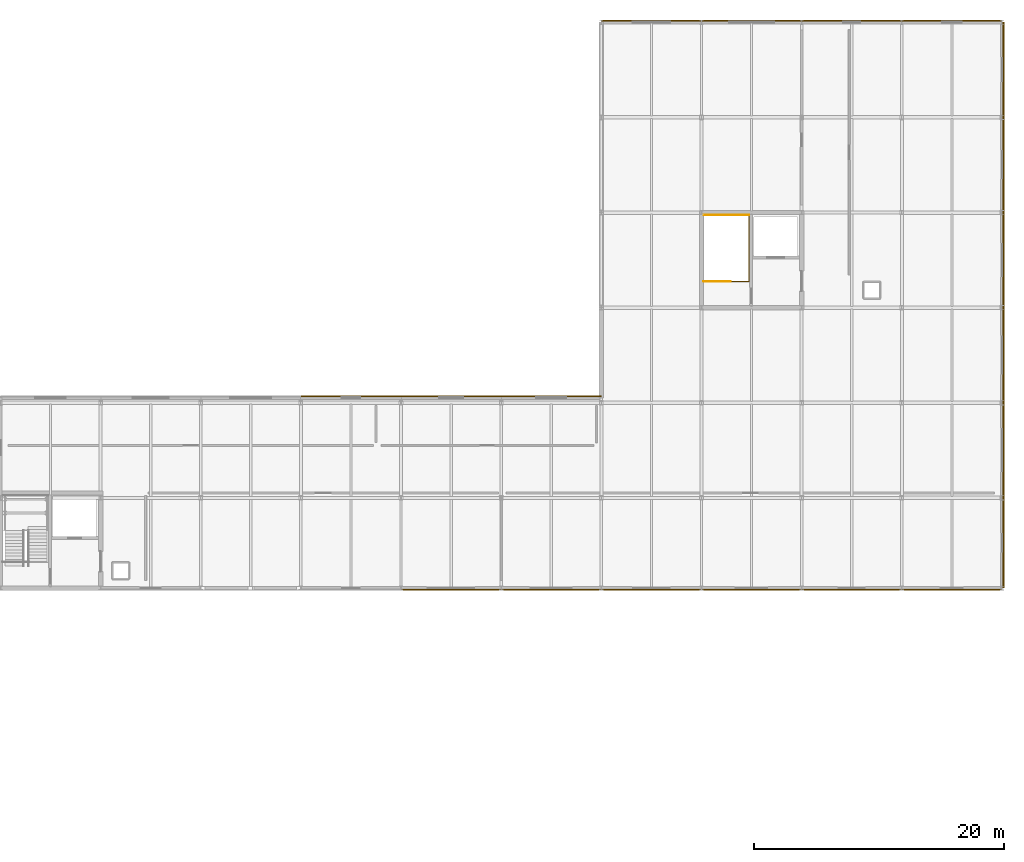
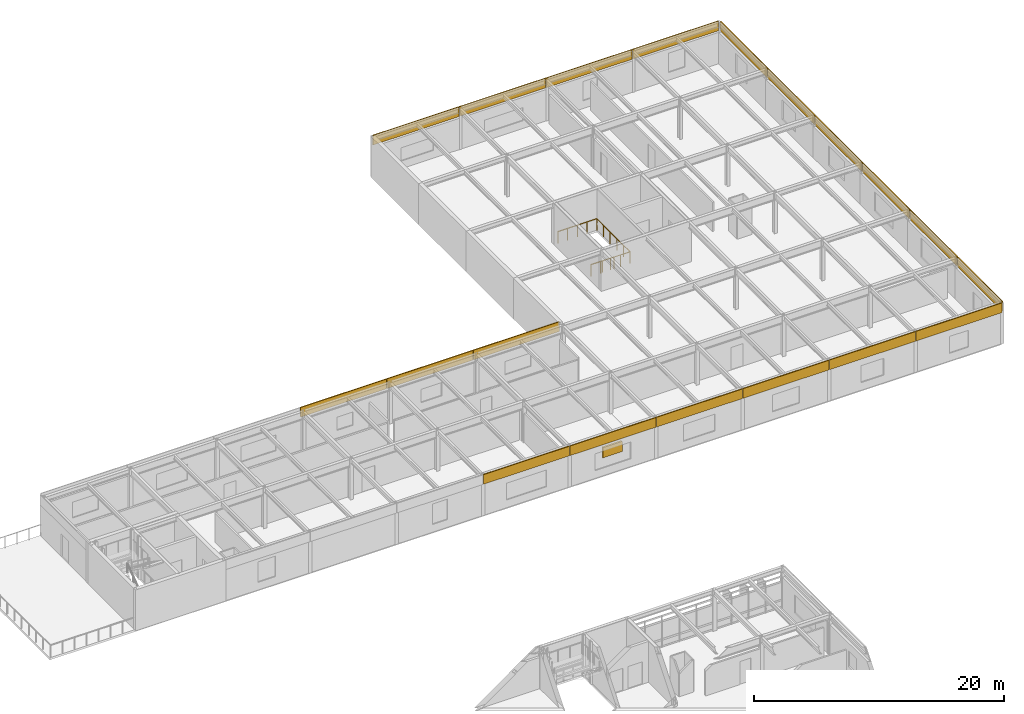
# One storey, part 33 of 33: 19 coverings, 3 railings, 1 shading device.
"""IFC4 building model written with IfcOpenShell, lengths in metres."""

from ifc_helpers import new_model, si_unit, direction, frame, origin, origin_2d, place, context, subcontext, project, spatial, rectangle, circle, extrude, material, layer, layer_set, type_object, element, save


model = new_model("IFC4")

# Units and contexts
model_context = context("Model", 3, precision=1e-05, world=origin(), true_north=direction((0.0, 1.0)))
body_context = subcontext(model_context, "Body", "Model", "MODEL_VIEW")
ifc_project = project(units=[si_unit("LENGTHUNIT", "METRE"), si_unit("AREAUNIT", "SQUARE_METRE"), si_unit("VOLUMEUNIT", "CUBIC_METRE"), si_unit("PLANEANGLEUNIT", "RADIAN"), si_unit("MASSUNIT", "GRAM", prefix="KILO")], contexts=[model_context])

# Site, building, storey
site_placement = place(None, origin())
site = spatial("IfcSite", under=ifc_project, at=site_placement, CompositionType="ELEMENT")
building_placement = place(site_placement, origin())
building = spatial("IfcBuilding", under=site, at=building_placement, Name="Zulena Civic Courthouse", CompositionType="ELEMENT")
storey_placement = place(building_placement, frame((0.0, 0.0, 33.60009765625)))
storey = spatial("IfcBuildingStorey", under=building, at=storey_placement, Name="L07", CompositionType="ELEMENT", Elevation=33.60009765625)

# Shading device
ifc_material_1 = material(Name="Bronze anodised thermally broken aluminium AA6063-T6", Category="aluminium")
shading_device_type = type_object("IfcShadingDeviceType", Name="AcousticStormLouvre_3", PredefinedType="JALOUSIE", material=ifc_material_1)
shading_device_placement = place(storey_placement, frame((64.0, 46.0, 1.699951171875), z_axis=(0.0, 0.0, 1.0), x_axis=(1.0, 0.0, 0.0)))
element("IfcShadingDevice", 1, at=shading_device_placement, inside=storey, type_object=shading_device_type, Name="louvre:V5:L07", PredefinedType="JALOUSIE", context=body_context, shape_type="SweptSolid", body=[
    extrude(rectangle(XDim=1.800048828125, YDim=0.14990234375, at=origin_2d()), origin(), (0.0, 0.0, 1.0), 1.0),
])

# Railings
ifc_material_2 = material(Name="Brushed architectural steel ASTM A36", Category="steel")
railing_type = type_object("IfcRailingType", Name="InteriorGuardrail_1150", PredefinedType="GUARDRAIL", material=ifc_material_2)
railing_1_placement = place(storey_placement, frame((76.199951171875, 75.81005859375, 0.0)))
element("IfcRailing", 2, at=railing_1_placement, inside=storey, type_object=railing_type, Name="gr:wellN:K5B:L06", PredefinedType="GUARDRAIL", context=body_context, shape_type="SweptSolid", body=[
    extrude(circle(Radius=0.02392578125, at=origin_2d()), frame((0.00390625, 0.0, 1.1259765625), z_axis=(1.0, 0.0, 0.0), x_axis=(0.0, 1.0, 0.0)), (0.0, 0.0, 1.0), 3.592041015625),
    extrude(circle(Radius=0.02099609375, at=origin_2d()), origin(), (0.0, 0.0, 1.0), 1.097900390625),
    extrude(circle(Radius=0.02099609375, at=origin_2d()), frame((0.89990234375, 0.0, 0.0)), (0.0, 0.0, 1.0), 1.097900390625),
    extrude(circle(Radius=0.02099609375, at=origin_2d()), frame((1.800048828125, 0.0, 0.0)), (0.0, 0.0, 1.0), 1.097900390625),
    extrude(circle(Radius=0.02099609375, at=origin_2d()), frame((2.7001953125, 0.0, 0.0)), (0.0, 0.0, 1.0), 1.097900390625),
    extrude(circle(Radius=0.02099609375, at=origin_2d()), frame((3.60009765625, 0.0, 0.0)), (0.0, 0.0, 1.0), 1.097900390625),
])
railing_2_placement = place(storey_placement, frame((79.800048828125, 75.820068359375, 0.0)))
element("IfcRailing", 3, at=railing_2_placement, inside=storey, type_object=railing_type, Name="gr:topwell:K5B:L06", PredefinedType="GUARDRAIL", context=body_context, shape_type="SweptSolid", body=[
    extrude(circle(Radius=0.02392578125, at=origin_2d()), frame((0.0, -0.00390625, 1.1259765625), z_axis=(0.0, -1.0, 0.0), x_axis=(1.0, 0.0, 0.0)), (0.0, 0.0, 1.0), 5.33203125),
    extrude(circle(Radius=0.02392578125, at=origin_2d()), frame((-0.00390625, -5.340087890625, 1.1259765625), z_axis=(-1.0, 0.0, 0.0), x_axis=(0.0, -1.0, 0.0)), (0.0, 0.0, 1.0), 3.612060546875),
    extrude(circle(Radius=0.02099609375, at=origin_2d()), origin(), (0.0, 0.0, 1.0), 1.097900390625),
    extrude(circle(Radius=0.02099609375, at=origin_2d()), frame((0.0, -1.068115234375, 0.0)), (0.0, 0.0, 1.0), 1.097900390625),
    extrude(circle(Radius=0.02099609375, at=origin_2d()), frame((0.0, -2.135986328125, 0.0)), (0.0, 0.0, 1.0), 1.097900390625),
    extrude(circle(Radius=0.02099609375, at=origin_2d()), frame((0.0, -3.2041015625, 0.0)), (0.0, 0.0, 1.0), 1.097900390625),
    extrude(circle(Radius=0.02099609375, at=origin_2d()), frame((0.0, -4.27197265625, 0.0)), (0.0, 0.0, 1.0), 1.097900390625),
    extrude(circle(Radius=0.02099609375, at=origin_2d()), frame((0.0, -5.340087890625, 0.0)), (0.0, 0.0, 1.0), 1.097900390625),
    extrude(circle(Radius=0.02099609375, at=origin_2d()), frame((-0.905029296875, -5.340087890625, 0.0)), (0.0, 0.0, 1.0), 1.097900390625),
    extrude(circle(Radius=0.02099609375, at=origin_2d()), frame((-1.81005859375, -5.340087890625, 0.0)), (0.0, 0.0, 1.0), 1.097900390625),
    extrude(circle(Radius=0.02099609375, at=origin_2d()), frame((-2.715087890625, -5.340087890625, 0.0)), (0.0, 0.0, 1.0), 1.097900390625),
    extrude(circle(Radius=0.02099609375, at=origin_2d()), frame((-3.6201171875, -5.340087890625, 0.0)), (0.0, 0.0, 1.0), 1.097900390625),
])
railing_3_placement = place(storey_placement, frame((76.179931640625, 70.5, 0.0)))
element("IfcRailing", 4, at=railing_3_placement, inside=storey, type_object=railing_type, Name="gr:wells:K5B:L07", PredefinedType="GUARDRAIL", context=body_context, shape_type="SweptSolid", body=[
    extrude(circle(Radius=0.02392578125, at=origin_2d()), frame((0.00390625, 0.0, 1.1259765625), z_axis=(1.0, 0.0, 0.0), x_axis=(0.0, 1.0, 0.0)), (0.0, 0.0, 1.0), 2.112060546875),
    extrude(circle(Radius=0.02099609375, at=origin_2d()), origin(), (0.0, 0.0, 1.0), 1.097900390625),
    extrude(circle(Radius=0.02099609375, at=origin_2d()), frame((1.06005859375, 0.0, 0.0)), (0.0, 0.0, 1.0), 1.097900390625),
    extrude(circle(Radius=0.02099609375, at=origin_2d()), frame((2.1201171875, 0.0, 0.0)), (0.0, 0.0, 1.0), 1.097900390625),
])

# Coverings
ifc_material_3 = material(Name="White architectural precast concrete C40/50", Category="concrete")
ifc_layer = layer(ifc_material_3, 0.0849609375)
ifc_layer_set = layer_set([ifc_layer], Name="White architectural precast concrete C40/50")
covering_type = type_object("IfcCoveringType", Name="PrecastSpandrelCladding_85", PredefinedType="CLADDING", material=ifc_layer_set)
for number, where, z_axis, x_axis, name in (
    (5, (48.0, 61.320068359375, 3.059814453125), (0.0, 0.0, 1.0), (1.0, 0.0, 0.0), "clad:sp:V5:L07:1:3"),
    (6, (56.0, 61.320068359375, 3.059814453125), (0.0, 0.0, 1.0), (1.0, 0.0, 0.0), "clad:sp:V5:L07:1:4"),
    (7, (64.0, 61.320068359375, 3.059814453125), (0.0, 0.0, 1.0), (1.0, 0.0, 0.0), "clad:sp:V5:L07:1:5"),
    (8, (72.0, 91.320068359375, 3.059814453125), (0.0, 0.0, 1.0), (1.0, 0.0, 0.0), "clad:sp:V5:L07:3:0"),
    (9, (80.0, 91.320068359375, 3.059814453125), (0.0, 0.0, 1.0), (1.0, 0.0, 0.0), "clad:sp:V5:L07:3:1"),
    (10, (88.0, 91.320068359375, 3.059814453125), (0.0, 0.0, 1.0), (1.0, 0.0, 0.0), "clad:sp:V5:L07:3:2"),
    (11, (96.0, 91.320068359375, 3.059814453125), (0.0, 0.0, 1.0), (1.0, 0.0, 0.0), "clad:sp:V5:L07:3:3"),
):
    element("IfcCovering", number, at=place(storey_placement, frame(where, z_axis=z_axis, x_axis=x_axis)), inside=storey, type_object=covering_type, Name=name, PredefinedType="CLADDING", context=body_context, shape_type="SweptSolid", body=[
        extrude(rectangle(XDim=7.9599609375, YDim=0.0849609375, at=origin_2d()), origin(), (0.0, 0.0, 1.0), 0.93994140625),
    ])
for number, where, z_axis, x_axis, name in (
    (12, (100.1201171875, 87.39990234375, 3.059814453125), (0.0, 0.0, 1.0), (0.0, -1.0, 0.0), "clad:sp:V5:L07:4:0"),
    (13, (100.1201171875, 79.800048828125, 3.059814453125), (0.0, 0.0, 1.0), (0.0, -1.0, 0.0), "clad:sp:V5:L07:4:1"),
    (14, (100.1201171875, 72.199951171875, 3.059814453125), (0.0, 0.0, 1.0), (0.0, -1.0, 0.0), "clad:sp:V5:L07:4:2"),
    (15, (100.1201171875, 64.60009765625, 3.059814453125), (0.0, 0.0, 1.0), (0.0, -1.0, 0.0), "clad:sp:V5:L07:4:3"),
    (16, (100.1201171875, 57.0, 3.059814453125), (0.0, 0.0, 1.0), (0.0, -1.0, 0.0), "clad:sp:V5:L07:4:4"),
):
    element("IfcCovering", number, at=place(storey_placement, frame(where, z_axis=z_axis, x_axis=x_axis)), inside=storey, type_object=covering_type, Name=name, PredefinedType="CLADDING", context=body_context, shape_type="SweptSolid", body=[
        extrude(rectangle(XDim=7.56005859375, YDim=0.0849609375, at=origin_2d()), origin(), (0.0, 0.0, 1.0), 0.93994140625),
    ])
covering_placement = place(storey_placement, frame((100.1201171875, 49.60009765625, 3.059814453125), z_axis=(0.0, 0.0, 1.0), x_axis=(0.0, -1.0, 0.0)))
element("IfcCovering", 17, at=covering_placement, inside=storey, type_object=covering_type, Name="clad:sp:V5:L07:4:5", PredefinedType="CLADDING", context=body_context, shape_type="SweptSolid", body=[
    extrude(rectangle(XDim=7.159912109375, YDim=0.0849609375, at=origin_2d()), origin(), (0.0, 0.0, 1.0), 0.93994140625),
])
for number, where, z_axis, x_axis, name in (
    (18, (96.0, 45.8798828125, 3.059814453125), (0.0, 0.0, 1.0), (-1.0, 0.0, 0.0), "clad:sp:V5:L07:5:0"),
    (19, (88.0, 45.8798828125, 3.059814453125), (0.0, 0.0, 1.0), (-1.0, 0.0, 0.0), "clad:sp:V5:L07:5:1"),
    (20, (80.0, 45.8798828125, 3.059814453125), (0.0, 0.0, 1.0), (-1.0, 0.0, 0.0), "clad:sp:V5:L07:5:2"),
    (21, (72.0, 45.8798828125, 3.059814453125), (0.0, 0.0, 1.0), (-1.0, 0.0, 0.0), "clad:sp:V5:L07:5:3"),
    (22, (64.0, 45.8798828125, 3.059814453125), (0.0, 0.0, 1.0), (-1.0, 0.0, 0.0), "clad:sp:V5:L07:5:4"),
    (23, (56.0, 45.8798828125, 3.059814453125), (0.0, 0.0, 1.0), (-1.0, 0.0, 0.0), "clad:sp:V5:L07:5:5"),
):
    element("IfcCovering", number, at=place(storey_placement, frame(where, z_axis=z_axis, x_axis=x_axis)), inside=storey, type_object=covering_type, Name=name, PredefinedType="CLADDING", context=body_context, shape_type="SweptSolid", body=[
        extrude(rectangle(XDim=7.9599609375, YDim=0.0849609375, at=origin_2d()), origin(), (0.0, 0.0, 1.0), 0.93994140625),
    ])

save(model, "model.ifc")
